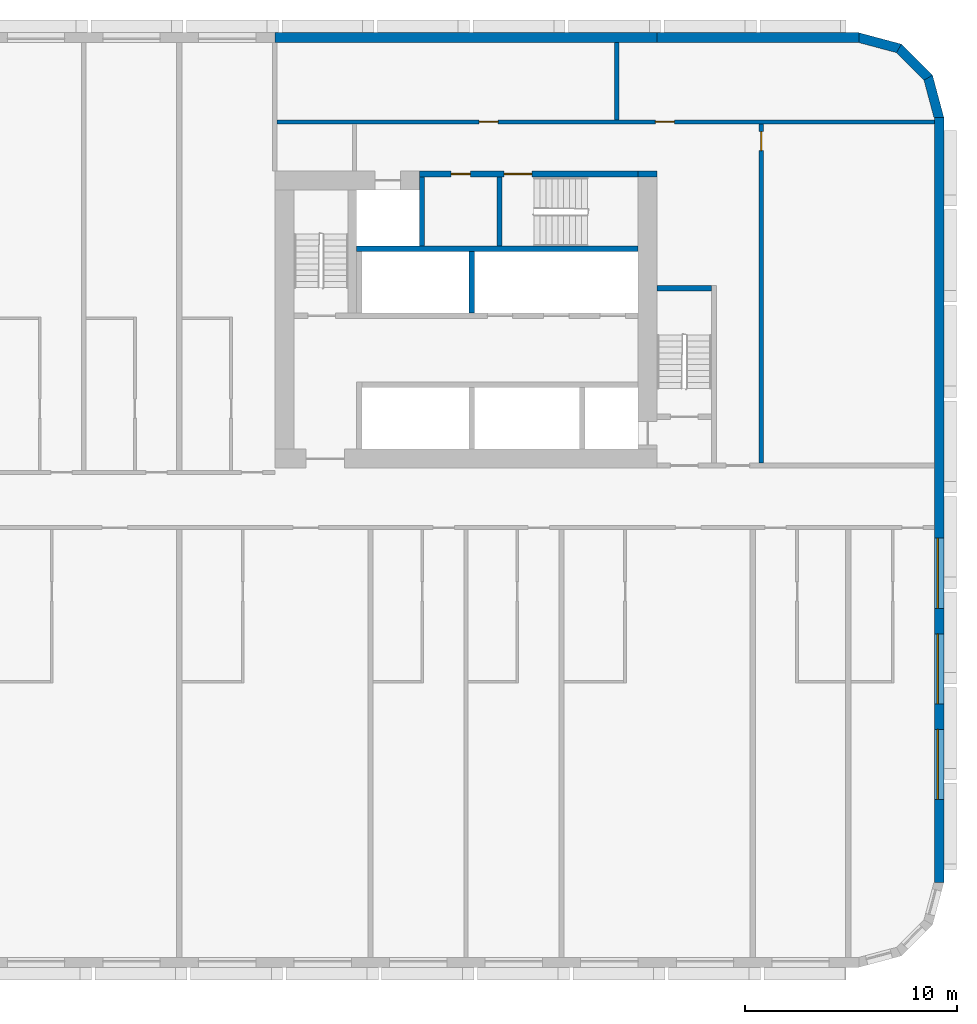
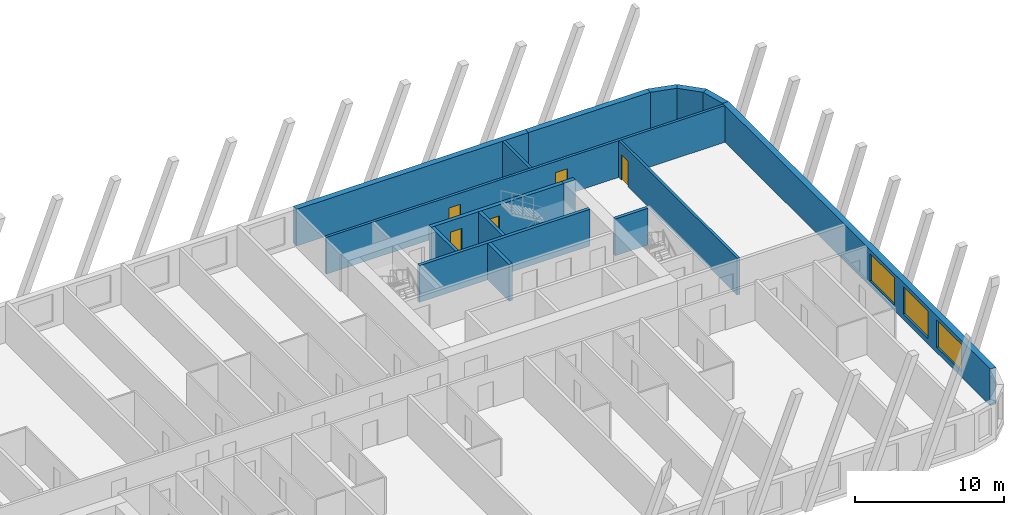
# One storey, part 8 of 13: 16 walls, 5 doors, 3 windows, 8 openings.
"""IFC4 building model written with IfcOpenShell, lengths in metres."""

import ifcopenshell
import ifcopenshell.guid

model = None  # the IFC model being written
_history = None  # IfcOwnerHistory: only IFC2X3 demands one
_inside = {}  # id of a spatial element -> (the spatial element, [elements in it])
_under = {}  # id of a project, library or spatial element -> (it, [spatial elements below it])
_declared = {}  # id of a project -> (the project, [libraries it declares])
_typed = {}  # id of a type object -> (the type object, [elements of that type])
_made_of = {}  # id of a material, layer set ... -> (it, [elements and type objects made of it])


def new_model(schema):
    """Start an empty IFC model of exactly this schema.

    Asked for "IFC4X3", IfcOpenShell would pick the latest addendum, in which some entities
    have other attributes; the version numbers below select the first issue.
    IFC2X3 requires an IfcOwnerHistory on every rooted entity: one is made here for all.
    """
    global model, _history
    if schema == "IFC4X3":
        model = ifcopenshell.file(schema_version=(4, 3, 0, 0))
    else:
        model = ifcopenshell.file(schema=schema)
    _inside.clear()
    _under.clear()
    _declared.clear()
    _typed.clear()
    _made_of.clear()
    _history = None
    if model.schema == "IFC2X3":
        org = make("IfcOrganization", Name="unknown")
        user = make(
            "IfcPersonAndOrganization",
            ThePerson=make("IfcPerson", FamilyName="unknown"),
            TheOrganization=org,
        )
        app = make(
            "IfcApplication",
            ApplicationDeveloper=org,
            Version="unknown",
            ApplicationFullName="unknown",
            ApplicationIdentifier="unknown",
        )
        _history = make(
            "IfcOwnerHistory",
            OwningUser=user,
            OwningApplication=app,
            ChangeAction="ADDED",
            CreationDate=0,
        )
    return model


def make(cls, **values):
    """One entity of the class cls with the attributes given. An attribute that is None is left unset."""
    return model.create_entity(
        cls, **{name: value for name, value in values.items() if value is not None}
    )


def rooted(cls, **values):
    """An entity with a GlobalId (a new one), such as an element, a storey or a relation."""
    return make(cls, GlobalId=ifcopenshell.guid.new(), OwnerHistory=_history, **values)


def si_unit(unit_type, name, prefix=None):
    """IfcSIUnit, for example si_unit("LENGTHUNIT", "METRE", prefix="MILLI")."""
    return make("IfcSIUnit", UnitType=unit_type, Prefix=prefix, Name=name)


def assignment(units):
    """IfcUnitAssignment: the units of a project."""
    return None if units is None else make("IfcUnitAssignment", Units=units)


def point(xyz):
    """IfcCartesianPoint."""
    return None if xyz is None else make("IfcCartesianPoint", Coordinates=xyz)


def direction(xyz):
    """IfcDirection."""
    return None if xyz is None else make("IfcDirection", DirectionRatios=xyz)


def frame(location, z_axis=None, x_axis=None):
    """IfcAxis2Placement3D, a coordinate frame: its origin and axes. An axis left out is left unset."""
    return make(
        "IfcAxis2Placement3D",
        Location=point(location),
        Axis=direction(z_axis),
        RefDirection=direction(x_axis),
    )


def frame_2d(location, x_axis=None):
    """IfcAxis2Placement2D, a coordinate frame in the plane: its origin and x axis."""
    return make(
        "IfcAxis2Placement2D", Location=point(location), RefDirection=direction(x_axis)
    )


def origin():
    """The frame at (0, 0, 0) with its axes left unset."""
    return frame((0.0, 0.0, 0.0))


def place(relative_to, where):
    """IfcLocalPlacement: puts the frame where relative to a parent placement (None: the world)."""
    return make(
        "IfcLocalPlacement", PlacementRelTo=relative_to, RelativePlacement=where
    )


def context(
    kind, dimensions, precision=None, world=None, true_north=None, identifier=None
):
    """IfcGeometricRepresentationContext, for example the 3D "Model" context."""
    return make(
        "IfcGeometricRepresentationContext",
        ContextIdentifier=identifier,
        ContextType=kind,
        CoordinateSpaceDimension=dimensions,
        Precision=precision,
        WorldCoordinateSystem=world,
        TrueNorth=true_north,
    )


def subcontext(parent, identifier, kind, view, scale=None):
    """IfcGeometricRepresentationSubContext, for example "Body" below "Model"."""
    return make(
        "IfcGeometricRepresentationSubContext",
        ContextIdentifier=identifier,
        ContextType=kind,
        ParentContext=parent,
        TargetScale=scale,
        TargetView=view,
    )


def project(units=None, contexts=None):
    """IfcProject with its units and contexts."""
    return rooted(
        "IfcProject",
        Name="project",
        RepresentationContexts=contexts,
        UnitsInContext=assignment(units),
    )


def spatial(cls, under=None, at=None, **own):
    """A site, building, storey or space (cls), placed at a placement, below another one or the project."""
    s = rooted(cls, ObjectPlacement=at, **own)
    if under is not None:
        _under.setdefault(under.id(), (under, []))[1].append(s)
    return s


def polyline(points):
    """IfcPolyline through the points."""
    return make("IfcPolyline", Points=[point(p) for p in points])


def profile(cls, at=None, kind="AREA", **sizes):
    """A parametric profile (cls). Its sizes go by their IFC names, for example OverallWidth=200.0."""
    return make(cls, ProfileType=kind, Position=at, **sizes)


def rectangle(**sizes):
    """IfcRectangleProfileDef."""
    return profile("IfcRectangleProfileDef", **sizes)


def outline(outer, holes=None, kind="AREA"):
    """IfcArbitraryClosedProfileDef: a profile drawn as a closed curve; with holes, ...WithVoids."""
    if holes is None:
        return make("IfcArbitraryClosedProfileDef", ProfileType=kind, OuterCurve=outer)
    return make(
        "IfcArbitraryProfileDefWithVoids",
        ProfileType=kind,
        OuterCurve=outer,
        InnerCurves=holes,
    )


def extrude(swept, where, along, depth):
    """IfcExtrudedAreaSolid: the profile swept, set in the frame where, extruded along a direction by depth."""
    return make(
        "IfcExtrudedAreaSolid",
        SweptArea=swept,
        Position=where,
        ExtrudedDirection=direction(along),
        Depth=depth,
    )


def shape(context_of_items, identifier, shape_type, items):
    """IfcShapeRepresentation: the items that make up one representation, for example the "Body"."""
    return make(
        "IfcShapeRepresentation",
        ContextOfItems=context_of_items,
        RepresentationIdentifier=identifier,
        RepresentationType=shape_type,
        Items=items,
    )


def material(Name=None, Category=None):
    """IfcMaterial."""
    return make("IfcMaterial", Name=Name, Category=Category)


def layer(
    of_material, thickness, ventilated=None, Name=None, Category=None, Priority=None
):
    """IfcMaterialLayer: one layer of a wall or slab, of a material (None: an air gap)."""
    return make(
        "IfcMaterialLayer",
        Material=of_material,
        LayerThickness=thickness,
        IsVentilated=ventilated,
        Name=Name,
        Category=Category,
        Priority=Priority,
    )


def layer_set(layers, Name=None):
    """IfcMaterialLayerSet."""
    return make("IfcMaterialLayerSet", MaterialLayers=layers, LayerSetName=Name)


def made_of(thing, what):
    """Note that an element or type object is made of a material, layer set ...; save() writes the relation."""
    if what is not None:
        _made_of.setdefault(what.id(), (what, []))[1].append(thing)
    return thing


def type_object(cls, material=None, **own):
    """A type object (cls), such as IfcWallType, which elements share."""
    return made_of(rooted(cls, **own), material)


def element(
    cls,
    number,
    at=None,
    inside=None,
    cuts=None,
    type_object=None,
    material=None,
    context=None,
    identifier="Body",
    shape_type=None,
    held_by="IfcProductDefinitionShape",
    body=None,
    shapes=None,
    **own,
):
    """One element of the class cls, such as IfcWall. Its Tag is "e" and its number.

    at: its placement. inside: the storey or other place that contains it. cuts: it is an
    opening in that element (IfcRelVoidsElement). A single representation is given by context,
    identifier, shape_type and body (its items); several are given by shapes. held_by: the class
    of the entity that holds the representations. save() writes the other relations.
    """
    e = rooted(cls, Tag="e%d" % number, ObjectPlacement=at, **own)
    if body is not None:
        shapes = [shape(context, identifier, shape_type, body)]
    if shapes is not None:
        e.Representation = make(held_by, Representations=shapes)
    if inside is not None:
        _inside.setdefault(inside.id(), (inside, []))[1].append(e)
    if cuts is not None:
        rooted(
            "IfcRelVoidsElement", RelatingBuildingElement=cuts, RelatedOpeningElement=e
        )
    if type_object is not None:
        _typed.setdefault(type_object.id(), (type_object, []))[1].append(e)
    return made_of(e, material)


def fill(opening, filler):
    """IfcRelFillsElement: the door or window that sits in an opening."""
    return rooted(
        "IfcRelFillsElement",
        RelatingOpeningElement=opening,
        RelatedBuildingElement=filler,
    )


def aggregate(whole, parts):
    """IfcRelAggregates: a whole, such as a stair, and the parts it consists of."""
    return rooted("IfcRelAggregates", RelatingObject=whole, RelatedObjects=parts)


def save(model, path):
    """Write the relations noted so far, then the file.

    IfcRelAggregates (storeys below a building ...), IfcRelContainedInSpatialStructure (elements
    in a storey), IfcRelDefinesByType, IfcRelAssociatesMaterial and IfcRelDeclares: one each for
    every whole, place, type object, material and project.
    """
    for whole, parts in _under.values():
        aggregate(whole, parts)
    for where, things in _inside.values():
        rooted(
            "IfcRelContainedInSpatialStructure",
            RelatedElements=things,
            RelatingStructure=where,
        )
    for kind, things in _typed.values():
        rooted("IfcRelDefinesByType", RelatedObjects=things, RelatingType=kind)
    for what, things in _made_of.values():
        rooted("IfcRelAssociatesMaterial", RelatedObjects=things, RelatingMaterial=what)
    for by, libraries in _declared.values():
        rooted("IfcRelDeclares", RelatingContext=by, RelatedDefinitions=libraries)
    model.write(path)


model = new_model("IFC4")

# Units and contexts
model_context = context("Model", 3, precision=1e-05, world=origin(), true_north=direction((0.0, 1.0)))
body_context = subcontext(model_context, "Body", "Model", "MODEL_VIEW")
ifc_project = project(units=[si_unit("LENGTHUNIT", "METRE"), si_unit("AREAUNIT", "SQUARE_METRE"), si_unit("VOLUMEUNIT", "CUBIC_METRE"), si_unit("PLANEANGLEUNIT", "RADIAN"), si_unit("MASSUNIT", "GRAM", prefix="KILO")], contexts=[model_context])

# Site, building, storey
site_placement = place(None, origin())
site = spatial("IfcSite", under=ifc_project, at=site_placement, CompositionType="ELEMENT")
building_placement = place(site_placement, origin())
building = spatial("IfcBuilding", under=site, at=building_placement, Name="Kajstack Hotel Tower", CompositionType="ELEMENT")
storey_placement = place(building_placement, frame((0.0, 0.0, 69.89990234375)))
storey = spatial("IfcBuildingStorey", under=building, at=storey_placement, Name="L12", CompositionType="ELEMENT", Elevation=69.89990234375)

# Walls
ifc_material_1 = material(Name="Concrete C60/75", Category="concrete")
ifc_layer_1 = layer(ifc_material_1, 0.89990234375)
ifc_layer_set_1 = layer_set([ifc_layer_1], Name="Core wall 900")
wall_type_1 = type_object("IfcWallType", Name="Core wall 900", PredefinedType="SHEAR", material=ifc_layer_set_1)
wall_1_placement = place(storey_placement, frame((30.60009765625, 15.35009765625, 0.0), z_axis=(0.0, 0.0, 1.0), x_axis=(1.0, 0.0, 0.0)))
element("IfcWall", 1, at=wall_1_placement, inside=storey, type_object=wall_type_1, Name="Core wall E RSW", PredefinedType="SHEAR", context=body_context, shape_type="SweptSolid", body=[
    extrude(rectangle(XDim=0.89990234375, YDim=0.300048828125, at=frame_2d((0.449951171875, 0.0))), origin(), (0.0, 0.0, 1.0), 3.02001953125),
])
ifc_material_2 = material(Name="Concrete C40/50", Category="concrete")
ifc_layer_2 = layer(ifc_material_2, 0.449951171875)
ifc_layer_set_2 = layer_set([ifc_layer_2], Name="EW-CORE")
wall_type_2 = type_object("IfcWallType", Name="EW-CORE", PredefinedType="SOLIDWALL", material=ifc_layer_set_2)
wall_2_placement = place(storey_placement, frame((31.5, 21.77490234375, 0.0), z_axis=(0.0, 0.0, 1.0), x_axis=(-1.0, 0.0, 0.0)))
element("IfcWall", 2, at=wall_2_placement, inside=storey, type_object=wall_type_2, Name="E-wall-L12-11-01", PredefinedType="SOLIDWALL", context=body_context, shape_type="SweptSolid", body=[
    extrude(rectangle(XDim=18.0, YDim=0.449951171875, at=frame_2d((9.0, 0.0))), origin(), (0.0, 0.0, 1.0), 3.02001953125),
])

# Wall, openings, windows
ifc_material_3 = material(Name="Terracotta-faced brick masonry", Category="masonry")
ifc_layer_3 = layer(ifc_material_3, 0.449951171875)
ifc_layer_set_3 = layer_set([ifc_layer_3], Name="EW-TERRA")
wall_type_3 = type_object("IfcWallType", Name="EW-TERRA", PredefinedType="SOLIDWALL", material=ifc_layer_set_3)
wall_3_placement = place(storey_placement, frame((44.77490234375, -18.0, 0.0), z_axis=(0.0, 0.0, 1.0), x_axis=(0.0, 1.0, 0.0)))
wall_3 = element("IfcWall", 3, at=wall_3_placement, inside=storey, type_object=wall_type_3, Name="E-wall-L12-07-00", PredefinedType="SOLIDWALL", context=body_context, shape_type="SweptSolid", body=[
    extrude(rectangle(XDim=36.0, YDim=0.449951171875, at=frame_2d((18.0, 0.0))), origin(), (0.0, 0.0, 1.0), 3.02001953125),
])
opening_1_placement = place(wall_3_placement, frame((3.89990234375, 0.0, 0.449951171875)))
opening_1 = element("IfcOpeningElement", 4, at=opening_1_placement, cuts=wall_3, Name="Opening W2", PredefinedType="OPENING", context=body_context, shape_type="SweptSolid", body=[
    extrude(rectangle(XDim=3.300048828125, YDim=2.25, at=frame_2d((1.64990234375, 1.125))), frame((0.0, 0.23486328125, 0.0), z_axis=(0.0, -1.0, 0.0), x_axis=(1.0, 0.0, 0.0)), (0.0, 0.0, 1.0), 0.469970703125),
])
opening_2_placement = place(wall_3_placement, frame((8.39990234375, 0.0, 0.449951171875)))
opening_2 = element("IfcOpeningElement", 5, at=opening_2_placement, cuts=wall_3, Name="Opening W2", PredefinedType="OPENING", context=body_context, shape_type="SweptSolid", body=[
    extrude(rectangle(XDim=3.300048828125, YDim=2.25, at=frame_2d((1.64990234375, 1.125))), frame((0.0, 0.23486328125, 0.0), z_axis=(0.0, -1.0, 0.0), x_axis=(1.0, 0.0, 0.0)), (0.0, 0.0, 1.0), 0.469970703125),
])
opening_3_placement = place(wall_3_placement, frame((12.89990234375, 0.0, 0.449951171875)))
opening_3 = element("IfcOpeningElement", 6, at=opening_3_placement, cuts=wall_3, Name="Opening W2", PredefinedType="OPENING", context=body_context, shape_type="SweptSolid", body=[
    extrude(rectangle(XDim=3.300048828125, YDim=2.25, at=frame_2d((1.64990234375, 1.125))), frame((0.0, 0.23486328125, 0.0), z_axis=(0.0, -1.0, 0.0), x_axis=(1.0, 0.0, 0.0)), (0.0, 0.0, 1.0), 0.469970703125),
])
ifc_material_4 = material(Name="Timber-aluminium window, triple glazed", Category="wood")
window_type = type_object("IfcWindowType", Name="WG2", PartitioningType="SINGLE_PANEL", PredefinedType="WINDOW", material=ifc_material_4)
window_1_placement = place(opening_1_placement, origin())
window_1 = element("IfcWindow", 7, at=window_1_placement, inside=storey, type_object=window_type, Name="Window W2 L12-07", OverallHeight=2.25, OverallWidth=3.300048828125, PartitioningType="SINGLE_PANEL", PredefinedType="WINDOW", context=body_context, shape_type="SweptSolid", body=[
    extrude(rectangle(XDim=3.300048828125, YDim=2.25, at=frame_2d((1.64990234375, 1.125))), frame((0.0, 0.090087890625, 0.0), z_axis=(0.0, -1.0, 0.0), x_axis=(1.0, 0.0, 0.0)), (0.0, 0.0, 1.0), 0.06005859375),
])
fill(opening_1, window_1)
window_2_placement = place(opening_2_placement, origin())
window_2 = element("IfcWindow", 8, at=window_2_placement, inside=storey, type_object=window_type, Name="Window W2 L12-07", OverallHeight=2.25, OverallWidth=3.300048828125, PartitioningType="SINGLE_PANEL", PredefinedType="WINDOW", context=body_context, shape_type="SweptSolid", body=[
    extrude(rectangle(XDim=3.300048828125, YDim=2.25, at=frame_2d((1.64990234375, 1.125))), frame((0.0, 0.090087890625, 0.0), z_axis=(0.0, -1.0, 0.0), x_axis=(1.0, 0.0, 0.0)), (0.0, 0.0, 1.0), 0.06005859375),
])
fill(opening_2, window_2)
window_3_placement = place(opening_3_placement, origin())
window_3 = element("IfcWindow", 9, at=window_3_placement, inside=storey, type_object=window_type, Name="Window W2 L12-07", OverallHeight=2.25, OverallWidth=3.300048828125, PartitioningType="SINGLE_PANEL", PredefinedType="WINDOW", context=body_context, shape_type="SweptSolid", body=[
    extrude(rectangle(XDim=3.300048828125, YDim=2.25, at=frame_2d((1.64990234375, 1.125))), frame((0.0, 0.090087890625, 0.0), z_axis=(0.0, -1.0, 0.0), x_axis=(1.0, 0.0, 0.0)), (0.0, 0.0, 1.0), 0.06005859375),
])
fill(opening_3, window_3)

# Walls
wall_4_placement = place(storey_placement, frame((44.78271484375, 17.941650390625, 0.0), z_axis=(0.0, 0.0, 1.0), x_axis=(-0.25881466832, 0.965926999034, 0.0)))
element("IfcWall", 10, at=wall_4_placement, inside=storey, type_object=wall_type_3, Name="E-wall-L12-08-00", PredefinedType="SOLIDWALL", context=body_context, shape_type="SweptSolid", body=[
    extrude(outline(polyline([(0.000244140625, -0.22509765625), (2.070556640625, -0.224853515625), (1.9501953125, 0.22509765625), (0.12060546875, 0.22509765625), (0.000244140625, -0.22509765625)])), origin(), (0.0, 0.0, 1.0), 3.02001953125),
])
wall_5_placement = place(storey_placement, frame((44.304931640625, 19.8408203125, 0.0), z_axis=(0.0, 0.0, 1.0), x_axis=(-0.707106781187, 0.707106781187, 0.0)))
element("IfcWall", 11, at=wall_5_placement, inside=storey, type_object=wall_type_3, Name="E-wall-L12-09-00", PredefinedType="SOLIDWALL", context=body_context, shape_type="SweptSolid", body=[
    extrude(outline(polyline([(0.0, -0.22509765625), (2.070556640625, -0.22509765625), (1.949951171875, 0.224853515625), (0.12060546875, 0.224853515625), (0.0, -0.22509765625)])), origin(), (0.0, 0.0, 1.0), 3.02001953125),
])
wall_6_placement = place(storey_placement, frame((42.941650390625, 21.246826171875, 0.0), z_axis=(0.0, 0.0, 1.0), x_axis=(-0.965926999034, 0.25881466832, 0.0)))
element("IfcWall", 12, at=wall_6_placement, inside=storey, type_object=wall_type_3, Name="E-wall-L12-10-00", PredefinedType="SOLIDWALL", context=body_context, shape_type="SweptSolid", body=[
    extrude(outline(polyline([(-0.000244140625, -0.224853515625), (2.0703125, -0.22509765625), (1.949951171875, 0.22509765625), (0.120361328125, 0.22509765625), (-0.000244140625, -0.224853515625)])), origin(), (0.0, 0.0, 1.0), 3.02001953125),
])
wall_7_placement = place(storey_placement, frame((41.0, 21.77490234375, 0.0), z_axis=(0.0, 0.0, 1.0), x_axis=(-1.0, 0.0, 0.0)))
element("IfcWall", 13, at=wall_7_placement, inside=storey, type_object=wall_type_3, Name="E-wall-L12-11-00", PredefinedType="SOLIDWALL", context=body_context, shape_type="SweptSolid", body=[
    extrude(rectangle(XDim=9.5, YDim=0.449951171875, at=frame_2d((4.75, 0.0))), origin(), (0.0, 0.0, 1.0), 3.02001953125),
])
ifc_material_5 = material(Name="Concrete C50/60", Category="concrete")
ifc_layer_4 = layer(ifc_material_5, 0.300048828125)
ifc_layer_set_4 = layer_set([ifc_layer_4], Name="Hoistway divider wall 300")
wall_type_4 = type_object("IfcWallType", Name="Hoistway divider wall 300", PredefinedType="SHEAR", material=ifc_layer_set_4)
wall_8_placement = place(storey_placement, frame((22.77490234375, 8.800048828125, 0.0), z_axis=(0.0, 0.0, 1.0), x_axis=(0.0, 1.0, 0.0)))
element("IfcWall", 14, at=wall_8_placement, inside=storey, type_object=wall_type_4, Name="Core wall E BP2", PredefinedType="SHEAR", context=body_context, shape_type="SweptSolid", body=[
    extrude(rectangle(XDim=2.89990234375, YDim=0.25, at=frame_2d((1.449951171875, 0.0))), origin(), (0.0, 0.0, 1.0), 3.02001953125),
])

# Wall, opening, door
ifc_material_6 = material(Name="Gypsum board on steel studs, mineral wool", Category="steel")
ifc_layer_5 = layer(ifc_material_6, 0.199951171875)
ifc_layer_set_5 = layer_set([ifc_layer_5], Name="Service partition 200")
wall_type_5 = type_object("IfcWallType", Name="Service partition 200", PredefinedType="PARTITIONING", material=ifc_layer_set_5)
wall_9_placement = place(storey_placement, frame((36.39990234375, 1.75, 0.0), z_axis=(0.0, 0.0, 1.0), x_axis=(0.0, 1.0, 0.0)))
wall_9 = element("IfcWall", 15, at=wall_9_placement, inside=storey, type_object=wall_type_5, Name="Partition E WRE", PredefinedType="PARTITIONING", context=body_context, shape_type="SweptSolid", body=[
    extrude(rectangle(XDim=15.949951171875, YDim=0.199951171875, at=frame_2d((7.97509765625, 0.0))), origin(), (0.0, 0.0, 1.0), 3.02001953125),
])
opening_4_placement = place(wall_9_placement, frame((14.699951171875, 0.0, 0.0)))
opening_4 = element("IfcOpeningElement", 16, at=opening_4_placement, cuts=wall_9, Name="Opening 12E15", PredefinedType="OPENING", context=body_context, shape_type="SweptSolid", body=[
    extrude(rectangle(XDim=0.89990234375, YDim=2.10009765625, at=frame_2d((0.449951171875, 1.050048828125))), frame((0.0, 0.10986328125, 0.0), z_axis=(0.0, -1.0, 0.0), x_axis=(1.0, 0.0, 0.0)), (0.0, 0.0, 1.0), 0.219970703125),
])
ifc_material_7 = material(Name="Timber leaf, fire-rated", Category="wood")
door_type_1 = type_object("IfcDoorType", Name="Service door 900", OperationType="SINGLE_SWING_LEFT", PredefinedType="DOOR", material=ifc_material_7)
door_1_placement = place(opening_4_placement, origin())
door_1 = element("IfcDoor", 17, at=door_1_placement, inside=storey, type_object=door_type_1, Name="Door 12E15", OperationType="SINGLE_SWING_RIGHT", OverallHeight=2.10009765625, OverallWidth=0.89990234375, PredefinedType="DOOR", context=body_context, shape_type="SweptSolid", body=[
    extrude(rectangle(XDim=0.89990234375, YDim=2.10009765625, at=frame_2d((0.449951171875, 1.050048828125))), frame((0.0, 0.02490234375, 0.0), z_axis=(0.0, -1.0, 0.0), x_axis=(1.0, 0.0, 0.0)), (0.0, 0.0, 1.0), 0.050048828125),
])
fill(opening_4, door_1)

# Wall, openings, doors
wall_10_placement = place(storey_placement, frame((13.60009765625, 17.800048828125, 0.0), z_axis=(0.0, 0.0, 1.0), x_axis=(1.0, 0.0, 0.0)))
wall_10 = element("IfcWall", 18, at=wall_10_placement, inside=storey, type_object=wall_type_5, Name="Partition E SLN", PredefinedType="PARTITIONING", context=body_context, shape_type="SweptSolid", body=[
    extrude(rectangle(XDim=30.949951171875, YDim=0.199951171875, at=frame_2d((15.47509765625, 0.0))), origin(), (0.0, 0.0, 1.0), 3.02001953125),
])
opening_5_placement = place(wall_10_placement, frame((17.8125, 0.0, 0.0)))
opening_5 = element("IfcOpeningElement", 19, at=opening_5_placement, cuts=wall_10, Name="Opening 12E13", PredefinedType="OPENING", context=body_context, shape_type="SweptSolid", body=[
    extrude(rectangle(XDim=0.89990234375, YDim=2.10009765625, at=frame_2d((0.449951171875, 1.050048828125))), frame((0.0, 0.10986328125, 0.0), z_axis=(0.0, -1.0, 0.0), x_axis=(1.0, 0.0, 0.0)), (0.0, 0.0, 1.0), 0.219970703125),
])
opening_6_placement = place(wall_10_placement, frame((9.512451171875, 0.0, 0.0)))
opening_6 = element("IfcOpeningElement", 20, at=opening_6_placement, cuts=wall_10, Name="Opening 12E14", PredefinedType="OPENING", context=body_context, shape_type="SweptSolid", body=[
    extrude(rectangle(XDim=0.89990234375, YDim=2.10009765625, at=frame_2d((0.449951171875, 1.050048828125))), frame((0.0, 0.10986328125, 0.0), z_axis=(0.0, -1.0, 0.0), x_axis=(1.0, 0.0, 0.0)), (0.0, 0.0, 1.0), 0.219970703125),
])
door_2_placement = place(opening_5_placement, origin())
door_2 = element("IfcDoor", 21, at=door_2_placement, inside=storey, type_object=door_type_1, Name="Door 12E13", OperationType="SINGLE_SWING_LEFT", OverallHeight=2.10009765625, OverallWidth=0.89990234375, PredefinedType="DOOR", context=body_context, shape_type="SweptSolid", body=[
    extrude(rectangle(XDim=0.89990234375, YDim=2.10009765625, at=frame_2d((0.449951171875, 1.050048828125))), frame((0.0, 0.02490234375, 0.0), z_axis=(0.0, -1.0, 0.0), x_axis=(1.0, 0.0, 0.0)), (0.0, 0.0, 1.0), 0.050048828125),
])
fill(opening_5, door_2)
door_3_placement = place(opening_6_placement, origin())
door_3 = element("IfcDoor", 22, at=door_3_placement, inside=storey, type_object=door_type_1, Name="Door 12E14", OperationType="SINGLE_SWING_LEFT", OverallHeight=2.10009765625, OverallWidth=0.89990234375, PredefinedType="DOOR", context=body_context, shape_type="SweptSolid", body=[
    extrude(rectangle(XDim=0.89990234375, YDim=2.10009765625, at=frame_2d((0.449951171875, 1.050048828125))), frame((0.0, 0.02490234375, 0.0), z_axis=(0.0, -1.0, 0.0), x_axis=(1.0, 0.0, 0.0)), (0.0, 0.0, 1.0), 0.050048828125),
])
fill(opening_6, door_3)

# Wall
wall_11_placement = place(storey_placement, frame((29.60009765625, 17.89990234375, 0.0), z_axis=(0.0, 0.0, 1.0), x_axis=(0.0, 1.0, 0.0)))
element("IfcWall", 23, at=wall_11_placement, inside=storey, type_object=wall_type_5, Name="Partition E SLP0", PredefinedType="PARTITIONING", context=body_context, shape_type="SweptSolid", body=[
    extrude(rectangle(XDim=3.650146484375, YDim=0.199951171875, at=frame_2d((1.8251953125, 0.0))), origin(), (0.0, 0.0, 1.0), 3.02001953125),
])

# Wall, openings, doors
ifc_layer_6 = layer(ifc_material_5, 0.25)
ifc_layer_set_6 = layer_set([ifc_layer_6], Name="Shaft wall 250")
wall_type_6 = type_object("IfcWallType", Name="Shaft wall 250", PredefinedType="SHEAR", material=ifc_layer_set_6)
wall_12_placement = place(storey_placement, frame((20.300048828125, 15.35009765625, 0.0), z_axis=(0.0, 0.0, 1.0), x_axis=(1.0, 0.0, 0.0)))
wall_12 = element("IfcWall", 24, at=wall_12_placement, inside=storey, type_object=wall_type_6, Name="Core wall E RSS", PredefinedType="SHEAR", context=body_context, shape_type="SweptSolid", body=[
    extrude(rectangle(XDim=10.300048828125, YDim=0.300048828125, at=frame_2d((5.14990234375, 0.0))), origin(), (0.0, 0.0, 1.0), 3.02001953125),
])
opening_7_placement = place(wall_12_placement, frame((4.0, 0.0, 0.0)))
opening_7 = element("IfcOpeningElement", 25, at=opening_7_placement, cuts=wall_12, Name="Opening 12E11", PredefinedType="OPENING", context=body_context, shape_type="SweptSolid", body=[
    extrude(rectangle(XDim=1.300048828125, YDim=2.10009765625, at=frame_2d((0.64990234375, 1.050048828125))), frame((0.0, 0.159912109375, 0.0), z_axis=(0.0, -1.0, 0.0), x_axis=(1.0, 0.0, 0.0)), (0.0, 0.0, 1.0), 0.320068359375),
])
opening_8_placement = place(wall_12_placement, frame((1.5, 0.0, 0.0)))
opening_8 = element("IfcOpeningElement", 26, at=opening_8_placement, cuts=wall_12, Name="Opening 12E12", PredefinedType="OPENING", context=body_context, shape_type="SweptSolid", body=[
    extrude(rectangle(XDim=0.89990234375, YDim=2.10009765625, at=frame_2d((0.449951171875, 1.050048828125))), frame((0.0, 0.159912109375, 0.0), z_axis=(0.0, -1.0, 0.0), x_axis=(1.0, 0.0, 0.0)), (0.0, 0.0, 1.0), 0.320068359375),
])
door_4_placement = place(opening_8_placement, origin())
door_4 = element("IfcDoor", 27, at=door_4_placement, inside=storey, type_object=door_type_1, Name="Door 12E12", OperationType="SINGLE_SWING_RIGHT", OverallHeight=2.10009765625, OverallWidth=0.89990234375, PredefinedType="DOOR", context=body_context, shape_type="SweptSolid", body=[
    extrude(rectangle(XDim=0.89990234375, YDim=2.10009765625, at=frame_2d((0.449951171875, 1.050048828125))), frame((0.0, 0.02490234375, 0.0), z_axis=(0.0, -1.0, 0.0), x_axis=(1.0, 0.0, 0.0)), (0.0, 0.0, 1.0), 0.050048828125),
])
fill(opening_8, door_4)
ifc_material_8 = material(Name="Steel leaf, fire-rated", Category="steel")
door_type_2 = type_object("IfcDoorType", Name="Stair door 1300", OperationType="SINGLE_SWING_LEFT", PredefinedType="DOOR", material=ifc_material_8)
door_5_placement = place(opening_7_placement, origin())
door_5 = element("IfcDoor", 28, at=door_5_placement, inside=storey, type_object=door_type_2, Name="Door 12E11", OperationType="SINGLE_SWING_LEFT", OverallHeight=2.10009765625, OverallWidth=1.300048828125, PredefinedType="DOOR", context=body_context, shape_type="SweptSolid", body=[
    extrude(rectangle(XDim=1.300048828125, YDim=2.10009765625, at=frame_2d((0.64990234375, 1.050048828125))), frame((0.0, 0.02490234375, 0.0), z_axis=(0.0, -1.0, 0.0), x_axis=(1.0, 0.0, 0.0)), (0.0, 0.0, 1.0), 0.050048828125),
])
fill(opening_7, door_5)

# Walls
wall_13_placement = place(storey_placement, frame((17.35009765625, 11.824951171875, 0.0), z_axis=(0.0, 0.0, 1.0), x_axis=(1.0, 0.0, 0.0)))
element("IfcWall", 29, at=wall_13_placement, inside=storey, type_object=wall_type_6, Name="Core wall E RB", PredefinedType="SHEAR", context=body_context, shape_type="SweptSolid", body=[
    extrude(rectangle(XDim=13.25, YDim=0.25, at=frame_2d((6.625, 0.0))), origin(), (0.0, 0.0, 1.0), 3.02001953125),
])
wall_14_placement = place(storey_placement, frame((20.425048828125, 11.949951171875, 0.0), z_axis=(0.0, 0.0, 1.0), x_axis=(0.0, 1.0, 0.0)))
element("IfcWall", 30, at=wall_14_placement, inside=storey, type_object=wall_type_6, Name="Core wall E SVW", PredefinedType="SHEAR", context=body_context, shape_type="SweptSolid", body=[
    extrude(rectangle(XDim=3.25, YDim=0.25, at=frame_2d((1.625, 0.0))), origin(), (0.0, 0.0, 1.0), 3.02001953125),
])
ifc_layer_7 = layer(ifc_material_2, 0.25)
ifc_layer_set_7 = layer_set([ifc_layer_7], Name="Stair enclosure wall 250")
wall_type_7 = type_object("IfcWallType", Name="Stair enclosure wall 250", PredefinedType="SHEAR", material=ifc_layer_set_7)
wall_15_placement = place(storey_placement, frame((31.5, 9.97509765625, 0.0), z_axis=(0.0, 0.0, 1.0), x_axis=(1.0, 0.0, 0.0)))
element("IfcWall", 31, at=wall_15_placement, inside=storey, type_object=wall_type_7, Name="Core wall E W1S", PredefinedType="SHEAR", context=body_context, shape_type="SweptSolid", body=[
    extrude(rectangle(XDim=2.550048828125, YDim=0.25, at=frame_2d((1.27490234375, 0.0))), origin(), (0.0, 0.0, 1.0), 3.02001953125),
])
ifc_layer_8 = layer(ifc_material_5, 0.35009765625)
ifc_layer_set_8 = layer_set([ifc_layer_8], Name="Stair enclosure wall 350")
wall_type_8 = type_object("IfcWallType", Name="Stair enclosure wall 350", PredefinedType="SHEAR", material=ifc_layer_set_8)
wall_16_placement = place(storey_placement, frame((24.074951171875, 11.949951171875, 0.0), z_axis=(0.0, 0.0, 1.0), x_axis=(0.0, 1.0, 0.0)))
element("IfcWall", 32, at=wall_16_placement, inside=storey, type_object=wall_type_8, Name="Core wall E W3E", PredefinedType="SHEAR", context=body_context, shape_type="SweptSolid", body=[
    extrude(rectangle(XDim=3.25, YDim=0.25, at=frame_2d((1.625, 0.0))), origin(), (0.0, 0.0, 1.0), 3.02001953125),
])

save(model, "model.ifc")
